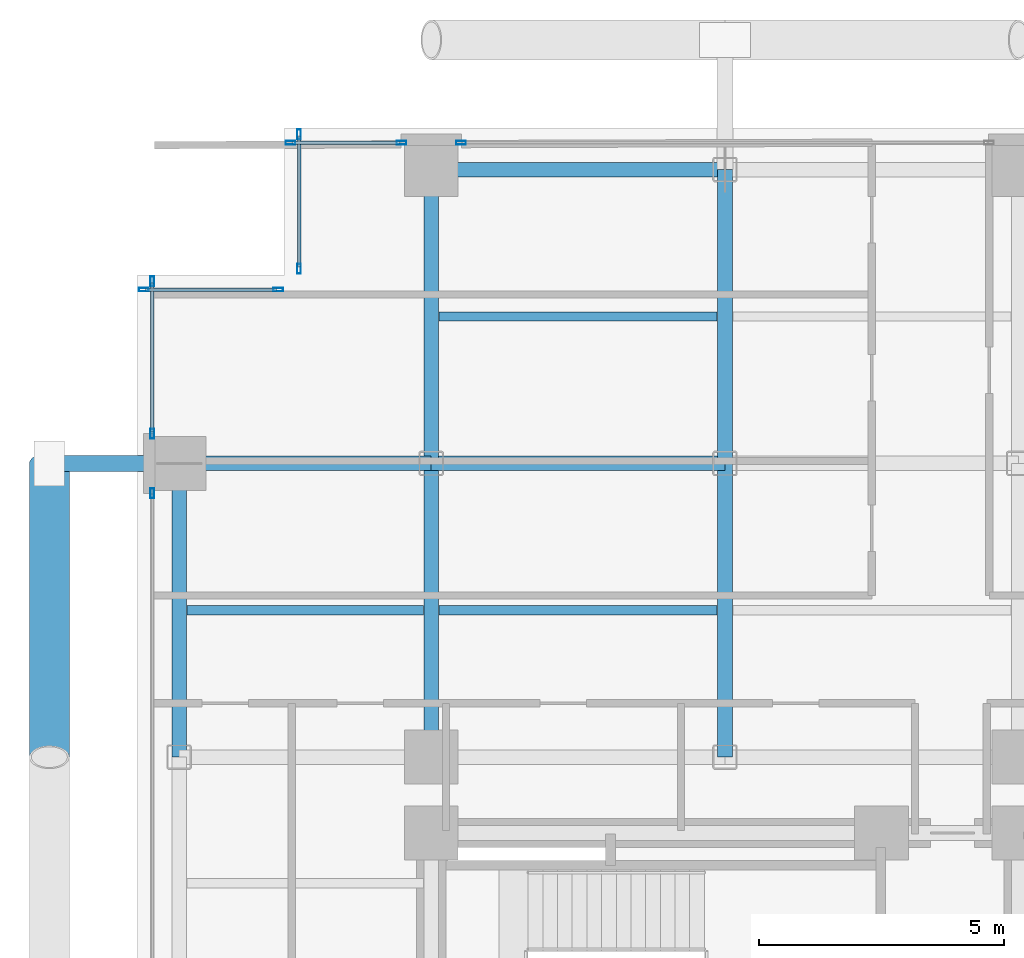
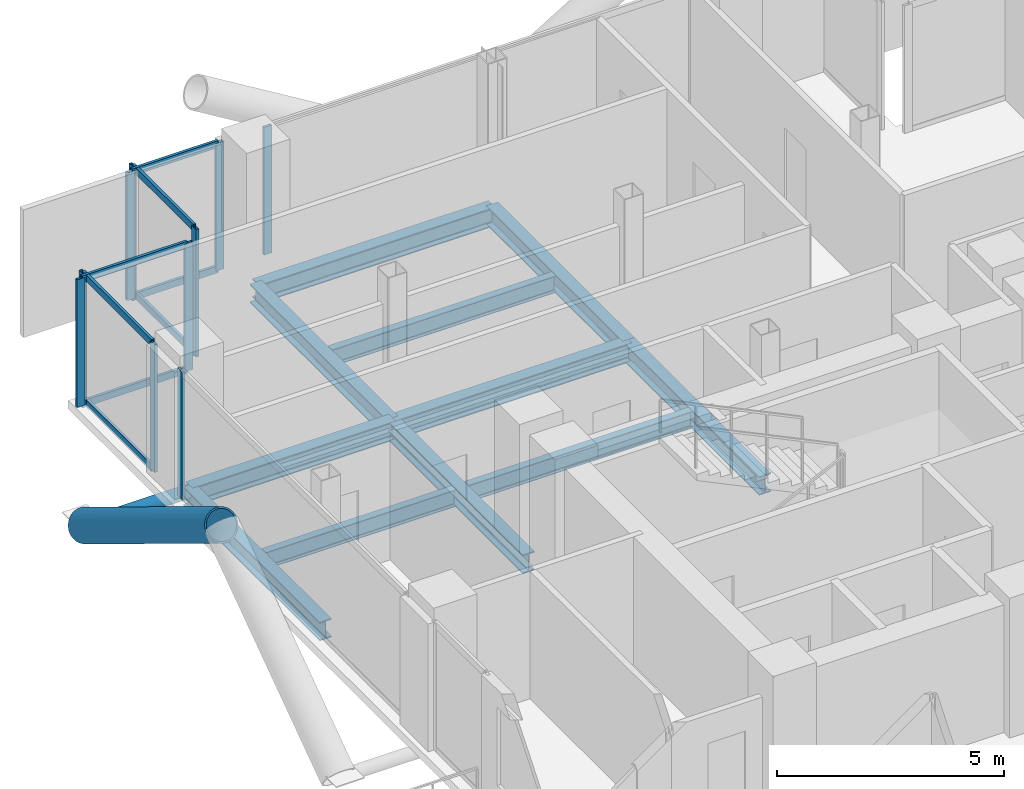
# One storey, part 14 of 24: 20 members, 11 beams, 6 elements without a shape of their own.
"""IFC4 building model written with IfcOpenShell, lengths in metres."""

import ifcopenshell
import ifcopenshell.guid

model = None  # the IFC model being written
_history = None  # IfcOwnerHistory: only IFC2X3 demands one
_inside = {}  # id of a spatial element -> (the spatial element, [elements in it])
_under = {}  # id of a project, library or spatial element -> (it, [spatial elements below it])
_declared = {}  # id of a project -> (the project, [libraries it declares])
_typed = {}  # id of a type object -> (the type object, [elements of that type])
_made_of = {}  # id of a material, layer set ... -> (it, [elements and type objects made of it])


def new_model(schema):
    """Start an empty IFC model of exactly this schema.

    Asked for "IFC4X3", IfcOpenShell would pick the latest addendum, in which some entities
    have other attributes; the version numbers below select the first issue.
    IFC2X3 requires an IfcOwnerHistory on every rooted entity: one is made here for all.
    """
    global model, _history
    if schema == "IFC4X3":
        model = ifcopenshell.file(schema_version=(4, 3, 0, 0))
    else:
        model = ifcopenshell.file(schema=schema)
    _inside.clear()
    _under.clear()
    _declared.clear()
    _typed.clear()
    _made_of.clear()
    _history = None
    if model.schema == "IFC2X3":
        org = make("IfcOrganization", Name="unknown")
        user = make(
            "IfcPersonAndOrganization",
            ThePerson=make("IfcPerson", FamilyName="unknown"),
            TheOrganization=org,
        )
        app = make(
            "IfcApplication",
            ApplicationDeveloper=org,
            Version="unknown",
            ApplicationFullName="unknown",
            ApplicationIdentifier="unknown",
        )
        _history = make(
            "IfcOwnerHistory",
            OwningUser=user,
            OwningApplication=app,
            ChangeAction="ADDED",
            CreationDate=0,
        )
    return model


def make(cls, **values):
    """One entity of the class cls with the attributes given. An attribute that is None is left unset."""
    return model.create_entity(
        cls, **{name: value for name, value in values.items() if value is not None}
    )


def rooted(cls, **values):
    """An entity with a GlobalId (a new one), such as an element, a storey or a relation."""
    return make(cls, GlobalId=ifcopenshell.guid.new(), OwnerHistory=_history, **values)


def si_unit(unit_type, name, prefix=None):
    """IfcSIUnit, for example si_unit("LENGTHUNIT", "METRE", prefix="MILLI")."""
    return make("IfcSIUnit", UnitType=unit_type, Prefix=prefix, Name=name)


def assignment(units):
    """IfcUnitAssignment: the units of a project."""
    return None if units is None else make("IfcUnitAssignment", Units=units)


def point(xyz):
    """IfcCartesianPoint."""
    return None if xyz is None else make("IfcCartesianPoint", Coordinates=xyz)


def direction(xyz):
    """IfcDirection."""
    return None if xyz is None else make("IfcDirection", DirectionRatios=xyz)


def frame(location, z_axis=None, x_axis=None):
    """IfcAxis2Placement3D, a coordinate frame: its origin and axes. An axis left out is left unset."""
    return make(
        "IfcAxis2Placement3D",
        Location=point(location),
        Axis=direction(z_axis),
        RefDirection=direction(x_axis),
    )


def frame_2d(location, x_axis=None):
    """IfcAxis2Placement2D, a coordinate frame in the plane: its origin and x axis."""
    return make(
        "IfcAxis2Placement2D", Location=point(location), RefDirection=direction(x_axis)
    )


def origin():
    """The frame at (0, 0, 0) with its axes left unset."""
    return frame((0.0, 0.0, 0.0))


def origin_2d():
    """The frame at (0, 0) in the plane with its x axis left unset."""
    return frame_2d((0.0, 0.0))


def place(relative_to, where):
    """IfcLocalPlacement: puts the frame where relative to a parent placement (None: the world)."""
    return make(
        "IfcLocalPlacement", PlacementRelTo=relative_to, RelativePlacement=where
    )


def context(
    kind, dimensions, precision=None, world=None, true_north=None, identifier=None
):
    """IfcGeometricRepresentationContext, for example the 3D "Model" context."""
    return make(
        "IfcGeometricRepresentationContext",
        ContextIdentifier=identifier,
        ContextType=kind,
        CoordinateSpaceDimension=dimensions,
        Precision=precision,
        WorldCoordinateSystem=world,
        TrueNorth=true_north,
    )


def subcontext(parent, identifier, kind, view, scale=None):
    """IfcGeometricRepresentationSubContext, for example "Body" below "Model"."""
    return make(
        "IfcGeometricRepresentationSubContext",
        ContextIdentifier=identifier,
        ContextType=kind,
        ParentContext=parent,
        TargetScale=scale,
        TargetView=view,
    )


def project(units=None, contexts=None):
    """IfcProject with its units and contexts."""
    return rooted(
        "IfcProject",
        Name="project",
        RepresentationContexts=contexts,
        UnitsInContext=assignment(units),
    )


def spatial(cls, under=None, at=None, **own):
    """A site, building, storey or space (cls), placed at a placement, below another one or the project."""
    s = rooted(cls, ObjectPlacement=at, **own)
    if under is not None:
        _under.setdefault(under.id(), (under, []))[1].append(s)
    return s


def profile(cls, at=None, kind="AREA", **sizes):
    """A parametric profile (cls). Its sizes go by their IFC names, for example OverallWidth=200.0."""
    return make(cls, ProfileType=kind, Position=at, **sizes)


def hollow_rectangle(**sizes):
    """IfcRectangleHollowProfileDef."""
    return profile("IfcRectangleHollowProfileDef", **sizes)


def hollow_circle(**sizes):
    """IfcCircleHollowProfileDef."""
    return profile("IfcCircleHollowProfileDef", **sizes)


def i_section(**sizes):
    """IfcIShapeProfileDef."""
    return profile("IfcIShapeProfileDef", **sizes)


def extrude(swept, where, along, depth):
    """IfcExtrudedAreaSolid: the profile swept, set in the frame where, extruded along a direction by depth."""
    return make(
        "IfcExtrudedAreaSolid",
        SweptArea=swept,
        Position=where,
        ExtrudedDirection=direction(along),
        Depth=depth,
    )


def shape(context_of_items, identifier, shape_type, items):
    """IfcShapeRepresentation: the items that make up one representation, for example the "Body"."""
    return make(
        "IfcShapeRepresentation",
        ContextOfItems=context_of_items,
        RepresentationIdentifier=identifier,
        RepresentationType=shape_type,
        Items=items,
    )


def material(Name=None, Category=None):
    """IfcMaterial."""
    return make("IfcMaterial", Name=Name, Category=Category)


def layer(
    of_material, thickness, ventilated=None, Name=None, Category=None, Priority=None
):
    """IfcMaterialLayer: one layer of a wall or slab, of a material (None: an air gap)."""
    return make(
        "IfcMaterialLayer",
        Material=of_material,
        LayerThickness=thickness,
        IsVentilated=ventilated,
        Name=Name,
        Category=Category,
        Priority=Priority,
    )


def layer_set(layers, Name=None):
    """IfcMaterialLayerSet."""
    return make("IfcMaterialLayerSet", MaterialLayers=layers, LayerSetName=Name)


def material_profile(
    of_material, cross_section, Name=None, Category=None, Priority=None
):
    """IfcMaterialProfile: a cross section and its material."""
    return make(
        "IfcMaterialProfile",
        Name=Name,
        Material=of_material,
        Profile=cross_section,
        Priority=Priority,
        Category=Category,
    )


def profile_set(profiles, Name=None, composite=None):
    """IfcMaterialProfileSet."""
    return make(
        "IfcMaterialProfileSet",
        Name=Name,
        MaterialProfiles=profiles,
        CompositeProfile=composite,
    )


def made_of(thing, what):
    """Note that an element or type object is made of a material, layer set ...; save() writes the relation."""
    if what is not None:
        _made_of.setdefault(what.id(), (what, []))[1].append(thing)
    return thing


def type_object(cls, material=None, **own):
    """A type object (cls), such as IfcWallType, which elements share."""
    return made_of(rooted(cls, **own), material)


def element(
    cls,
    number,
    at=None,
    inside=None,
    cuts=None,
    type_object=None,
    material=None,
    context=None,
    identifier="Body",
    shape_type=None,
    held_by="IfcProductDefinitionShape",
    body=None,
    shapes=None,
    **own,
):
    """One element of the class cls, such as IfcWall. Its Tag is "e" and its number.

    at: its placement. inside: the storey or other place that contains it. cuts: it is an
    opening in that element (IfcRelVoidsElement). A single representation is given by context,
    identifier, shape_type and body (its items); several are given by shapes. held_by: the class
    of the entity that holds the representations. save() writes the other relations.
    """
    e = rooted(cls, Tag="e%d" % number, ObjectPlacement=at, **own)
    if body is not None:
        shapes = [shape(context, identifier, shape_type, body)]
    if shapes is not None:
        e.Representation = make(held_by, Representations=shapes)
    if inside is not None:
        _inside.setdefault(inside.id(), (inside, []))[1].append(e)
    if cuts is not None:
        rooted(
            "IfcRelVoidsElement", RelatingBuildingElement=cuts, RelatedOpeningElement=e
        )
    if type_object is not None:
        _typed.setdefault(type_object.id(), (type_object, []))[1].append(e)
    return made_of(e, material)


def aggregate(whole, parts):
    """IfcRelAggregates: a whole, such as a stair, and the parts it consists of."""
    return rooted("IfcRelAggregates", RelatingObject=whole, RelatedObjects=parts)


def save(model, path):
    """Write the relations noted so far, then the file.

    IfcRelAggregates (storeys below a building ...), IfcRelContainedInSpatialStructure (elements
    in a storey), IfcRelDefinesByType, IfcRelAssociatesMaterial and IfcRelDeclares: one each for
    every whole, place, type object, material and project.
    """
    for whole, parts in _under.values():
        aggregate(whole, parts)
    for where, things in _inside.values():
        rooted(
            "IfcRelContainedInSpatialStructure",
            RelatedElements=things,
            RelatingStructure=where,
        )
    for kind, things in _typed.values():
        rooted("IfcRelDefinesByType", RelatedObjects=things, RelatingType=kind)
    for what, things in _made_of.values():
        rooted("IfcRelAssociatesMaterial", RelatedObjects=things, RelatingMaterial=what)
    for by, libraries in _declared.values():
        rooted("IfcRelDeclares", RelatingContext=by, RelatedDefinitions=libraries)
    model.write(path)


model = new_model("IFC4")

# Units and contexts
model_context = context("Model", 3, precision=1e-05, world=origin(), true_north=direction((0.0, 1.0)))
body_context = subcontext(model_context, "Body", "Model", "MODEL_VIEW")
ifc_project = project(units=[si_unit("LENGTHUNIT", "METRE"), si_unit("AREAUNIT", "SQUARE_METRE"), si_unit("VOLUMEUNIT", "CUBIC_METRE"), si_unit("PLANEANGLEUNIT", "RADIAN"), si_unit("MASSUNIT", "GRAM", prefix="KILO"), si_unit("THERMODYNAMICTEMPERATUREUNIT", "KELVIN"), si_unit("POWERUNIT", "WATT")], contexts=[model_context])

# Site, building, storey
site_placement = place(None, origin())
site = spatial("IfcSite", under=ifc_project, at=site_placement, CompositionType="ELEMENT")
building_placement = place(site_placement, origin())
building = spatial("IfcBuilding", under=site, at=building_placement, Name="Svarakhadi Broadcast Tower", CompositionType="ELEMENT")
storey_placement = place(building_placement, frame((0.0, 0.0, 160.64990234375)))
storey = spatial("IfcBuildingStorey", under=building, at=storey_placement, Name="L39", CompositionType="ELEMENT", Elevation=160.64990234375)

# Beams
ifc_material_1 = material(Name="Steel S355J2 (IS 2062 E350C)", Category="steel")
ifc_material_profile_1 = material_profile(ifc_material_1, i_section(OverallWidth=0.18994140625, OverallDepth=0.449951171875, WebThickness=0.009521484375, FlangeThickness=0.0146484375, FilletRadius=0.02099609375, at=origin_2d()), Name="NPB 450x190x78")
ifc_profile_set_1 = profile_set([ifc_material_profile_1], Name="Steel S355J2 (IS 2062 E350C)")
beam_type_1 = type_object("IfcBeamType", Name="Beam_NPB450", PredefinedType="BEAM", material=ifc_profile_set_1)
beam_1_placement = place(storey_placement, frame((1.010009765625, 32.14990234375, -0.449951171875), z_axis=(1.0, 0.0, 0.0), x_axis=(0.0, 1.0, 0.0)))
element("IfcBeam", 1, at=beam_1_placement, inside=storey, type_object=beam_type_1, Name="L39 Secondary Composite Beam SB005", PredefinedType="BEAM", context=body_context, shape_type="SweptSolid", body=[
    extrude(i_section(OverallWidth=0.18994140625, OverallDepth=0.449951171875, WebThickness=0.009521484375, FlangeThickness=0.0146484375, FilletRadius=0.02099609375, at=origin_2d()), origin(), (0.0, 0.0, 1.0), 4.830078125),
])
for number, where, z_axis, x_axis, name in (
    (2, (6.159912109375, 32.14990234375, -0.449951171875), (1.0, 0.0, 0.0), (0.0, 1.0, 0.0), "L39 Secondary Composite Beam SB009"),
    (3, (6.159912109375, 38.14990234375, -0.449951171875), (1.0, 0.0, 0.0), (0.0, 1.0, 0.0), "L39 Secondary Composite Beam SB010"),
):
    element("IfcBeam", number, at=place(storey_placement, frame(where, z_axis=z_axis, x_axis=x_axis)), inside=storey, type_object=beam_type_1, Name=name, PredefinedType="BEAM", context=body_context, shape_type="SweptSolid", body=[
        extrude(i_section(OverallWidth=0.18994140625, OverallDepth=0.449951171875, WebThickness=0.009521484375, FlangeThickness=0.0146484375, FilletRadius=0.02099609375, at=origin_2d()), origin(), (0.0, 0.0, 1.0), 5.68017578125),
    ])

# Curtain wall, member
ifc_material_2 = material(Name="Anodised Bronze Aluminium AA 6063-T6", Category="aluminium")
ifc_layer = layer(ifc_material_2, 0.199951171875)
ifc_layer_set = layer_set([ifc_layer], Name="Anodised Bronze Aluminium AA 6063-T6")
curtain_wall_type = type_object("IfcCurtainWallType", Name="CW_Sys_03", PredefinedType="NOTDEFINED", material=ifc_layer_set)
curtain_wall_1_placement = place(storey_placement, origin())
curtain_wall_1 = element("IfcCurtainWall", 4, at=curtain_wall_1_placement, inside=storey, type_object=curtain_wall_type, Name="L39 West Curtain Wall 03 Bay 2", PredefinedType="NOTDEFINED")
ifc_material_profile_2 = material_profile(ifc_material_2, hollow_rectangle(XDim=0.074951171875, YDim=0.199951171875, WallThickness=0.005615234375, at=origin_2d()), Name="ALU MULLION 200x75x6")
ifc_profile_set_2 = profile_set([ifc_material_profile_2], Name="Anodised Bronze Aluminium AA 6063-T6")
member_type_1 = type_object("IfcMemberType", Name="CW_Sys_03_Mul", PredefinedType="MULLION", material=ifc_profile_set_2)
member_1_placement = place(storey_placement, frame((0.300048828125, 34.54248046875, 0.0), z_axis=(0.0, 0.0, 1.0), x_axis=(-1.0, 0.0, 0.0)))
member_1 = element("IfcMember", 5, at=member_1_placement, type_object=member_type_1, Name="CW-03 mullion 2", PredefinedType="MULLION", context=body_context, shape_type="SweptSolid", body=[
    extrude(hollow_rectangle(XDim=0.074951171875, YDim=0.199951171875, WallThickness=0.005615234375, at=origin_2d()), origin(), (0.0, 0.0, 1.0), 3.425048828125),
])
aggregate(curtain_wall_1, [member_1])

# Curtain wall, members
curtain_wall_2_placement = place(storey_placement, origin())
curtain_wall_2 = element("IfcCurtainWall", 6, at=curtain_wall_2_placement, inside=storey, type_object=curtain_wall_type, Name="L39 West Curtain Wall 03 Bay 3", PredefinedType="NOTDEFINED")
member_2_placement = place(storey_placement, frame((0.300048828125, 35.757568359375, 0.0), z_axis=(0.0, 0.0, 1.0), x_axis=(-1.0, 0.0, 0.0)))
member_2 = element("IfcMember", 7, at=member_2_placement, type_object=member_type_1, Name="CW-03 mullion 1", PredefinedType="MULLION", context=body_context, shape_type="SweptSolid", body=[
    extrude(hollow_rectangle(XDim=0.074951171875, YDim=0.199951171875, WallThickness=0.005615234375, at=origin_2d()), origin(), (0.0, 0.0, 1.0), 3.425048828125),
])
member_3_placement = place(storey_placement, frame((0.300048828125, 38.87255859375, 0.0), z_axis=(0.0, 0.0, 1.0), x_axis=(-1.0, 0.0, 0.0)))
member_3 = element("IfcMember", 8, at=member_3_placement, type_object=member_type_1, Name="CW-03 mullion 2", PredefinedType="MULLION", context=body_context, shape_type="SweptSolid", body=[
    extrude(hollow_rectangle(XDim=0.074951171875, YDim=0.199951171875, WallThickness=0.005615234375, at=origin_2d()), origin(), (0.0, 0.0, 1.0), 3.425048828125),
])

curtain_wall_3_placement = place(storey_placement, origin())
curtain_wall_3 = element("IfcCurtainWall", 9, at=curtain_wall_3_placement, inside=storey, type_object=curtain_wall_type, Name="L39 Unitised Facade Curtain Wall 04", PredefinedType="NOTDEFINED")
member_4_placement = place(storey_placement, frame((0.12744140625, 38.699951171875, 0.0), z_axis=(0.0, 0.0, 1.0), x_axis=(0.0, 1.0, 0.0)))
member_4 = element("IfcMember", 10, at=member_4_placement, type_object=member_type_1, Name="CW-03 mullion 1", PredefinedType="MULLION", context=body_context, shape_type="SweptSolid", body=[
    extrude(hollow_rectangle(XDim=0.074951171875, YDim=0.199951171875, WallThickness=0.005615234375, at=origin_2d()), origin(), (0.0, 0.0, 1.0), 3.425048828125),
])
member_5_placement = place(storey_placement, frame((2.87255859375, 38.699951171875, 0.0), z_axis=(0.0, 0.0, 1.0), x_axis=(0.0, 1.0, 0.0)))
member_5 = element("IfcMember", 11, at=member_5_placement, type_object=member_type_1, Name="CW-03 mullion 2", PredefinedType="MULLION", context=body_context, shape_type="SweptSolid", body=[
    extrude(hollow_rectangle(XDim=0.074951171875, YDim=0.199951171875, WallThickness=0.005615234375, at=origin_2d()), origin(), (0.0, 0.0, 1.0), 3.425048828125),
])

curtain_wall_4_placement = place(storey_placement, origin())
curtain_wall_4 = element("IfcCurtainWall", 12, at=curtain_wall_4_placement, inside=storey, type_object=curtain_wall_type, Name="L39 Unitised Facade Curtain Wall 05", PredefinedType="NOTDEFINED")
member_6_placement = place(storey_placement, frame((3.300048828125, 39.12744140625, 0.0), z_axis=(0.0, 0.0, 1.0), x_axis=(-1.0, 0.0, 0.0)))
member_6 = element("IfcMember", 13, at=member_6_placement, type_object=member_type_1, Name="CW-03 mullion 1", PredefinedType="MULLION", context=body_context, shape_type="SweptSolid", body=[
    extrude(hollow_rectangle(XDim=0.074951171875, YDim=0.199951171875, WallThickness=0.005615234375, at=origin_2d()), origin(), (0.0, 0.0, 1.0), 3.425048828125),
])
member_7_placement = place(storey_placement, frame((3.300048828125, 41.87255859375, 0.0), z_axis=(0.0, 0.0, 1.0), x_axis=(-1.0, 0.0, 0.0)))
member_7 = element("IfcMember", 14, at=member_7_placement, type_object=member_type_1, Name="CW-03 mullion 2", PredefinedType="MULLION", context=body_context, shape_type="SweptSolid", body=[
    extrude(hollow_rectangle(XDim=0.074951171875, YDim=0.199951171875, WallThickness=0.005615234375, at=origin_2d()), origin(), (0.0, 0.0, 1.0), 3.425048828125),
])

curtain_wall_5_placement = place(storey_placement, origin())
curtain_wall_5 = element("IfcCurtainWall", 15, at=curtain_wall_5_placement, inside=storey, type_object=curtain_wall_type, Name="L39 Unitised Facade Curtain Wall 06 Bay 1", PredefinedType="NOTDEFINED")
member_8_placement = place(storey_placement, frame((3.12744140625, 41.699951171875, 0.0), z_axis=(0.0, 0.0, 1.0), x_axis=(0.0, 1.0, 0.0)))
member_8 = element("IfcMember", 16, at=member_8_placement, type_object=member_type_1, Name="CW-03 mullion 1", PredefinedType="MULLION", context=body_context, shape_type="SweptSolid", body=[
    extrude(hollow_rectangle(XDim=0.074951171875, YDim=0.199951171875, WallThickness=0.005615234375, at=origin_2d()), origin(), (0.0, 0.0, 1.0), 3.425048828125),
])
member_9_placement = place(storey_placement, frame((5.392578125, 41.699951171875, 0.0), z_axis=(0.0, 0.0, 1.0), x_axis=(0.0, 1.0, 0.0)))
member_9 = element("IfcMember", 17, at=member_9_placement, type_object=member_type_1, Name="CW-03 mullion 2", PredefinedType="MULLION", context=body_context, shape_type="SweptSolid", body=[
    extrude(hollow_rectangle(XDim=0.074951171875, YDim=0.199951171875, WallThickness=0.005615234375, at=origin_2d()), origin(), (0.0, 0.0, 1.0), 3.425048828125),
])

# Curtain wall, member
curtain_wall_6_placement = place(storey_placement, origin())
curtain_wall_6 = element("IfcCurtainWall", 18, at=curtain_wall_6_placement, inside=storey, type_object=curtain_wall_type, Name="L39 Unitised Facade Curtain Wall 06 Bay 2", PredefinedType="NOTDEFINED")
member_10_placement = place(storey_placement, frame((6.607421875, 41.699951171875, 0.0), z_axis=(0.0, 0.0, 1.0), x_axis=(0.0, 1.0, 0.0)))
member_10 = element("IfcMember", 19, at=member_10_placement, type_object=member_type_1, Name="CW-03 mullion 1", PredefinedType="MULLION", context=body_context, shape_type="SweptSolid", body=[
    extrude(hollow_rectangle(XDim=0.074951171875, YDim=0.199951171875, WallThickness=0.005615234375, at=origin_2d()), origin(), (0.0, 0.0, 1.0), 3.425048828125),
])
aggregate(curtain_wall_6, [member_10])

# Member
ifc_material_profile_3 = material_profile(ifc_material_2, hollow_rectangle(XDim=0.070068359375, YDim=0.18505859375, WallThickness=0.0048828125, at=origin_2d()), Name="ALU TRANSOM 185x70x5")
ifc_profile_set_3 = profile_set([ifc_material_profile_3], Name="Anodised Bronze Aluminium AA 6063-T6")
member_type_2 = type_object("IfcMemberType", Name="CW_Sys_03_Trn", PredefinedType="USERDEFINED", material=ifc_profile_set_3)
member_11_placement = place(storey_placement, frame((0.300048828125, 35.794921875, 0.03515625), z_axis=(0.0, 1.0, 0.0), x_axis=(-1.0, 0.0, 0.0)))
member_11 = element("IfcMember", 20, at=member_11_placement, type_object=member_type_2, Name="CW-03 transom 1.1", ObjectType="TRANSOM", PredefinedType="USERDEFINED", context=body_context, shape_type="SweptSolid", body=[
    extrude(hollow_rectangle(XDim=0.070068359375, YDim=0.18505859375, WallThickness=0.0048828125, at=origin_2d()), origin(), (0.0, 0.0, 1.0), 3.0400390625),
])

member_12_placement = place(storey_placement, frame((0.300048828125, 35.794921875, 3.39013671875), z_axis=(0.0, 1.0, 0.0), x_axis=(-1.0, 0.0, 0.0)))
member_12 = element("IfcMember", 21, at=member_12_placement, type_object=member_type_2, Name="CW-03 transom 1.2", ObjectType="TRANSOM", PredefinedType="USERDEFINED", context=body_context, shape_type="SweptSolid", body=[
    extrude(hollow_rectangle(XDim=0.070068359375, YDim=0.18505859375, WallThickness=0.0048828125, at=origin_2d()), origin(), (0.0, 0.0, 1.0), 3.0400390625),
])

aggregate(curtain_wall_2, [member_2, member_3, member_11, member_12])

member_13_placement = place(storey_placement, frame((0.1650390625, 38.699951171875, 0.03515625), z_axis=(1.0, 0.0, 0.0), x_axis=(0.0, 1.0, 0.0)))
member_13 = element("IfcMember", 22, at=member_13_placement, type_object=member_type_2, Name="CW-03 transom 1.1", ObjectType="TRANSOM", PredefinedType="USERDEFINED", context=body_context, shape_type="SweptSolid", body=[
    extrude(hollow_rectangle(XDim=0.070068359375, YDim=0.18505859375, WallThickness=0.0048828125, at=origin_2d()), origin(), (0.0, 0.0, 1.0), 2.669921875),
])

member_14_placement = place(storey_placement, frame((0.1650390625, 38.699951171875, 3.39013671875), z_axis=(1.0, 0.0, 0.0), x_axis=(0.0, 1.0, 0.0)))
member_14 = element("IfcMember", 23, at=member_14_placement, type_object=member_type_2, Name="CW-03 transom 1.2", ObjectType="TRANSOM", PredefinedType="USERDEFINED", context=body_context, shape_type="SweptSolid", body=[
    extrude(hollow_rectangle(XDim=0.070068359375, YDim=0.18505859375, WallThickness=0.0048828125, at=origin_2d()), origin(), (0.0, 0.0, 1.0), 2.669921875),
])

aggregate(curtain_wall_3, [member_4, member_5, member_13, member_14])

member_15_placement = place(storey_placement, frame((3.300048828125, 39.1650390625, 0.03515625), z_axis=(0.0, 1.0, 0.0), x_axis=(-1.0, 0.0, 0.0)))
member_15 = element("IfcMember", 24, at=member_15_placement, type_object=member_type_2, Name="CW-03 transom 1.1", ObjectType="TRANSOM", PredefinedType="USERDEFINED", context=body_context, shape_type="SweptSolid", body=[
    extrude(hollow_rectangle(XDim=0.070068359375, YDim=0.18505859375, WallThickness=0.0048828125, at=origin_2d()), origin(), (0.0, 0.0, 1.0), 2.669921875),
])

member_16_placement = place(storey_placement, frame((3.300048828125, 39.1650390625, 3.39013671875), z_axis=(0.0, 1.0, 0.0), x_axis=(-1.0, 0.0, 0.0)))
member_16 = element("IfcMember", 25, at=member_16_placement, type_object=member_type_2, Name="CW-03 transom 1.2", ObjectType="TRANSOM", PredefinedType="USERDEFINED", context=body_context, shape_type="SweptSolid", body=[
    extrude(hollow_rectangle(XDim=0.070068359375, YDim=0.18505859375, WallThickness=0.0048828125, at=origin_2d()), origin(), (0.0, 0.0, 1.0), 2.669921875),
])

aggregate(curtain_wall_4, [member_6, member_7, member_15, member_16])

member_17_placement = place(storey_placement, frame((3.1650390625, 41.699951171875, 0.03515625), z_axis=(1.0, 0.0, 0.0), x_axis=(0.0, 1.0, 0.0)))
member_17 = element("IfcMember", 26, at=member_17_placement, type_object=member_type_2, Name="CW-03 transom 1.1", ObjectType="TRANSOM", PredefinedType="USERDEFINED", context=body_context, shape_type="SweptSolid", body=[
    extrude(hollow_rectangle(XDim=0.070068359375, YDim=0.18505859375, WallThickness=0.0048828125, at=origin_2d()), origin(), (0.0, 0.0, 1.0), 2.18994140625),
])

member_18_placement = place(storey_placement, frame((3.1650390625, 41.699951171875, 3.39013671875), z_axis=(1.0, 0.0, 0.0), x_axis=(0.0, 1.0, 0.0)))
member_18 = element("IfcMember", 27, at=member_18_placement, type_object=member_type_2, Name="CW-03 transom 1.2", ObjectType="TRANSOM", PredefinedType="USERDEFINED", context=body_context, shape_type="SweptSolid", body=[
    extrude(hollow_rectangle(XDim=0.070068359375, YDim=0.18505859375, WallThickness=0.0048828125, at=origin_2d()), origin(), (0.0, 0.0, 1.0), 2.18994140625),
])

aggregate(curtain_wall_5, [member_8, member_9, member_17, member_18])

# Members
ifc_material_3 = material(Name="Steel S460ML (IS 2062 E450BR)", Category="steel")
ifc_material_profile_4 = material_profile(ifc_material_3, hollow_circle(Radius=0.406494140625, WallThickness=0.0400390625, at=origin_2d()), Name="CHS 813x40")
ifc_profile_set_4 = profile_set([ifc_material_profile_4], Name="Steel S460ML (IS 2062 E450BR)")
member_type_3 = type_object("IfcMemberType", Name="Exo_Brace_CHS813", PredefinedType="BRACE", material=ifc_profile_set_4)
member_19_placement = place(storey_placement, frame((-1.800048828125, 35.14990234375, -0.386962890625), z_axis=(0.0, -0.854326743865, 0.519736293438), x_axis=(1.0, 0.0, 0.0)))
element("IfcMember", 28, at=member_19_placement, inside=storey, type_object=member_type_3, Name="L39 Exposed Bronze Exoskeleton Diagonal W05", PredefinedType="BRACE", context=body_context, shape_type="SweptSolid", body=[
    extrude(hollow_circle(Radius=0.406494140625, WallThickness=0.0400390625, at=origin_2d()), origin(), (0.0, 0.0, 1.0), 7.023193359375),
])
ifc_material_profile_5 = material_profile(ifc_material_3, hollow_circle(Radius=0.161865234375, WallThickness=0.01611328125, at=origin_2d()), Name="CHS 323.9x16")
ifc_profile_set_5 = profile_set([ifc_material_profile_5], Name="Steel S460ML (IS 2062 E450BR)")
member_type_4 = type_object("IfcMemberType", Name="Exo_Radial_Strut_Z2", PredefinedType="STRUT", material=ifc_profile_set_5)
member_20_placement = place(storey_placement, frame((-1.800048828125, 35.14990234375, -0.386962890625), z_axis=(1.0, 0.0, 0.0), x_axis=(0.0, 1.0, 0.0)))
element("IfcMember", 29, at=member_20_placement, inside=storey, type_object=member_type_4, Name="L39 Exoskeleton Radial Tie Strut W04", PredefinedType="STRUT", context=body_context, shape_type="SweptSolid", body=[
    extrude(hollow_circle(Radius=0.161865234375, WallThickness=0.01611328125, at=origin_2d()), origin(), (0.0, 0.0, 1.0), 2.650146484375),
])

# Beams
ifc_material_profile_6 = material_profile(ifc_material_1, i_section(OverallWidth=0.300048828125, OverallDepth=0.5, WebThickness=0.014404296875, FlangeThickness=0.028076171875, FilletRadius=0.027099609375, at=origin_2d()), Name="WPB 500x300x187")
ifc_profile_set_6 = profile_set([ifc_material_profile_6], Name="Steel S355J2 (IS 2062 E350C)")
beam_type_2 = type_object("IfcBeamType", Name="Girder_WPB500", PredefinedType="USERDEFINED", material=ifc_profile_set_6)
beam_2_placement = place(storey_placement, frame((0.85009765625, 35.14990234375, -0.474853515625), z_axis=(1.0, 0.0, 0.0), x_axis=(0.0, 1.0, 0.0)))
element("IfcBeam", 30, at=beam_2_placement, inside=storey, type_object=beam_type_2, Name="L39 Primary E-W Girder G035", ObjectType="GIRDER", PredefinedType="USERDEFINED", context=body_context, shape_type="SweptSolid", body=[
    extrude(i_section(OverallWidth=0.300048828125, OverallDepth=0.5, WebThickness=0.014404296875, FlangeThickness=0.028076171875, FilletRadius=0.027099609375, at=origin_2d()), origin(), (0.0, 0.0, 1.0), 5.14990234375),
])
for number, where, z_axis, x_axis, name in (
    (31, (6.0, 35.14990234375, -0.474853515625), (1.0, 0.0, 0.0), (0.0, 1.0, 0.0), "L39 Primary E-W Girder G036"),
    (32, (6.0, 41.14990234375, -0.474853515625), (1.0, 0.0, 0.0), (0.0, 1.0, 0.0), "L39 Primary E-W Girder G038"),
    (33, (0.85009765625, 29.14990234375, -0.474853515625), (0.0, 1.0, 0.0), (-1.0, 0.0, 0.0), "L39 Primary N-S Girder G044"),
    (34, (6.0, 29.14990234375, -0.474853515625), (0.0, 1.0, 0.0), (-1.0, 0.0, 0.0), "L39 Primary N-S Girder G049"),
    (35, (6.0, 35.14990234375, -0.474853515625), (0.0, 1.0, 0.0), (-1.0, 0.0, 0.0), "L39 Primary N-S Girder G050"),
    (36, (12.0, 29.14990234375, -0.474853515625), (0.0, 1.0, 0.0), (-1.0, 0.0, 0.0), "L39 Primary N-S Girder G054"),
    (37, (12.0, 35.14990234375, -0.474853515625), (0.0, 1.0, 0.0), (-1.0, 0.0, 0.0), "L39 Primary N-S Girder G055"),
):
    element("IfcBeam", number, at=place(storey_placement, frame(where, z_axis=z_axis, x_axis=x_axis)), inside=storey, type_object=beam_type_2, Name=name, ObjectType="GIRDER", PredefinedType="USERDEFINED", context=body_context, shape_type="SweptSolid", body=[
        extrude(i_section(OverallWidth=0.300048828125, OverallDepth=0.5, WebThickness=0.014404296875, FlangeThickness=0.028076171875, FilletRadius=0.027099609375, at=origin_2d()), origin(), (0.0, 0.0, 1.0), 6.0),
    ])

save(model, "model.ifc")
